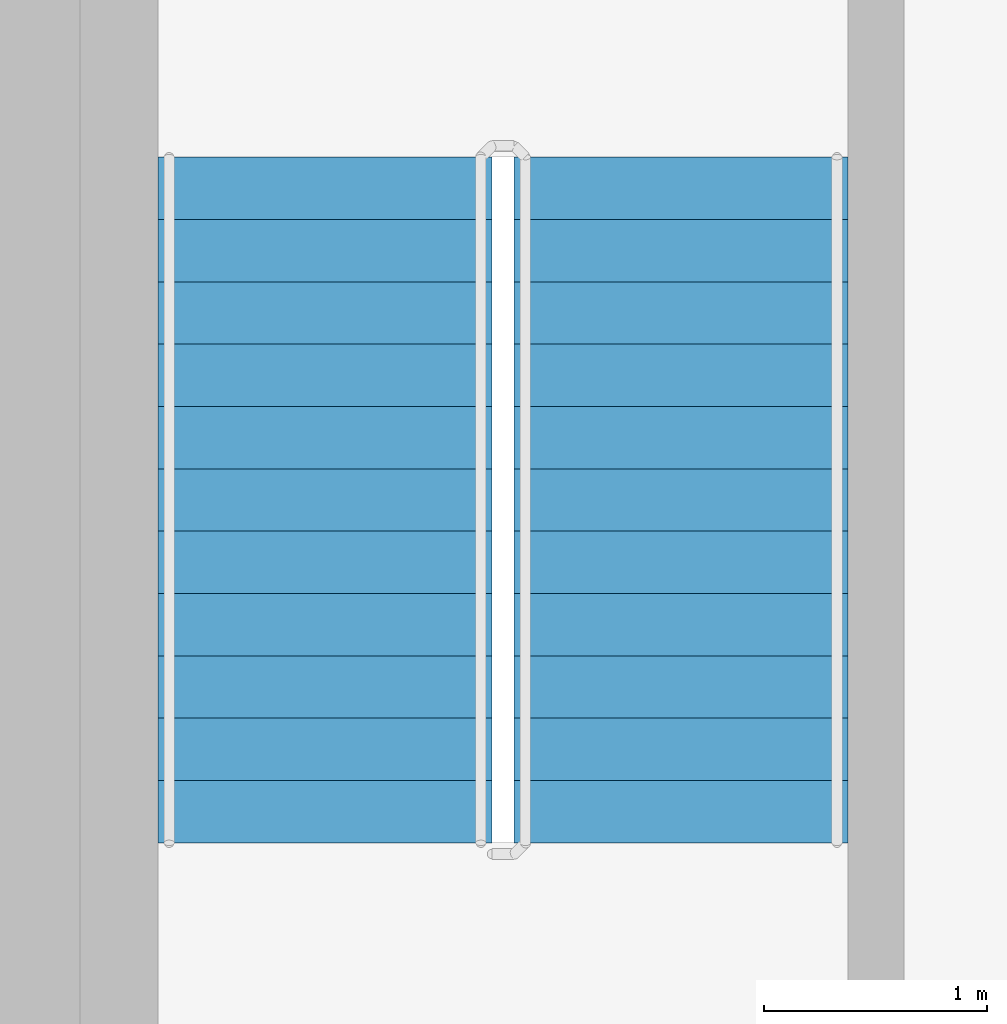
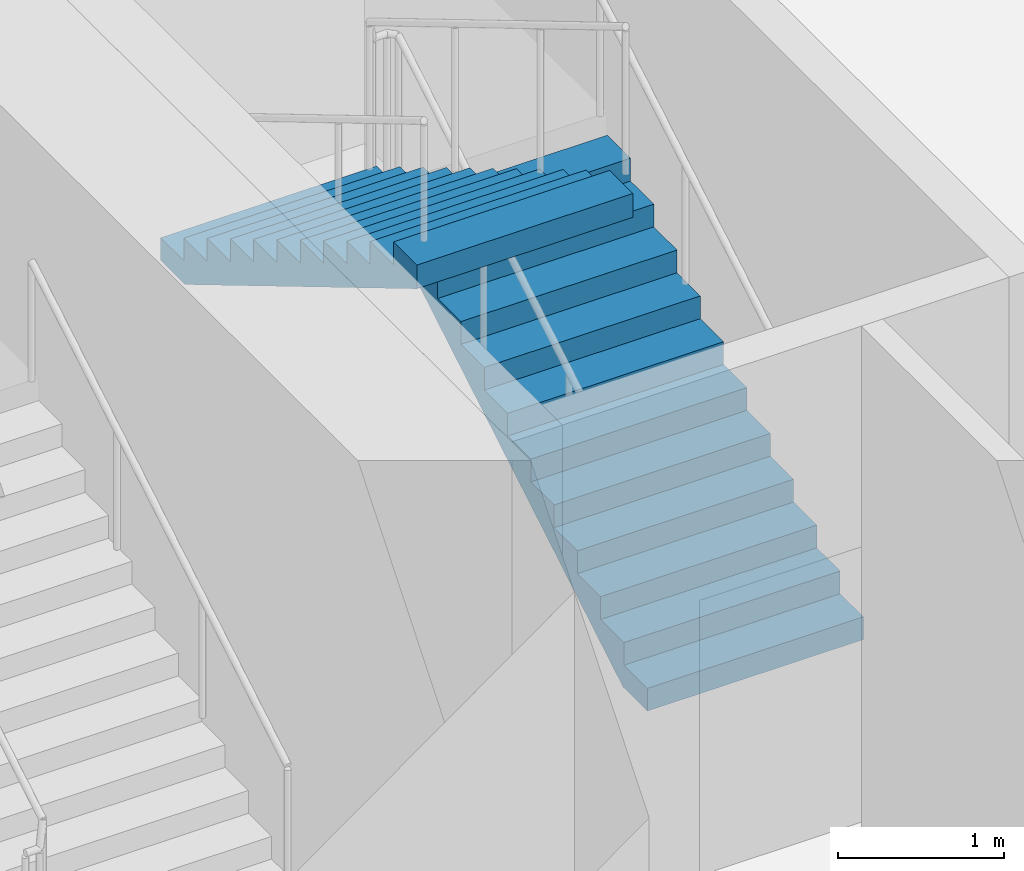
# One storey, part 17 of 25: 2 stair flights, 1 element without a shape of its own.
"""IFC4 building model written with IfcOpenShell, lengths in metres."""

from ifc_helpers import new_model, si_unit, direction, frame, origin, place, context, subcontext, project, spatial, triangles, source, transform, mapped, material, type_object, element, aggregate, save


model = new_model("IFC4")

# Units and contexts
model_context = context("Model", 3, precision=1e-05, world=origin(), true_north=direction((0.0, 1.0)))
body_context = subcontext(model_context, "Body", "Model", "MODEL_VIEW")
ifc_project = project(units=[si_unit("LENGTHUNIT", "METRE"), si_unit("AREAUNIT", "SQUARE_METRE"), si_unit("VOLUMEUNIT", "CUBIC_METRE"), si_unit("PLANEANGLEUNIT", "RADIAN"), si_unit("MASSUNIT", "GRAM", prefix="KILO")], contexts=[model_context])

# Site, building, storey
site_placement = place(None, origin())
site = spatial("IfcSite", under=ifc_project, at=site_placement, CompositionType="ELEMENT")
building_placement = place(site_placement, origin())
building = spatial("IfcBuilding", under=site, at=building_placement, Name="Kilnfold Tower and Market Hall", CompositionType="ELEMENT")
storey_placement = place(building_placement, frame((0.0, 0.0, 120.60009765625)))
storey = spatial("IfcBuildingStorey", under=building, at=storey_placement, Name="L28", CompositionType="ELEMENT", Elevation=120.60009765625)

# Stair, stair flights
ifc_material_1 = material(Name="Concrete C40/50", Category="concrete")
stair_type = type_object("IfcStairType", Name="CORE STAIR 1500", PredefinedType="HALF_TURN_STAIR", material=ifc_material_1)
stair_placement = place(storey_placement, origin())
stair = element("IfcStair", 1, at=stair_placement, inside=storey, type_object=stair_type, Name="L28 ST5", PredefinedType="HALF_TURN_STAIR")
ifc_material_2 = material(Name="Concrete C40/50", Category="concrete")
stair_flight_type = type_object("IfcStairFlightType", Name="CORE STAIR FLIGHT 1500", PredefinedType="STRAIGHT", material=ifc_material_2)
shared_shape = source(origin(), body_context, "Body", "Tessellation", [
    triangles([(0.0, 0.75, 0.0), (0.0, 0.65625, 0.0), (0.0, 0.5625, 0.0), (0.0, 0.46875, 0.0), (0.0, 0.375, 0.0), (0.0, 0.28125, 0.0), (0.0, 0.1875, 0.0), (0.0, 0.09375, 0.0), (0.0, 0.0, 0.0), (0.0, -0.09375, 0.0), (0.0, -0.1875, 0.0), (0.0, -0.28125, 0.0), (0.0, -0.375, 0.0), (0.0, -0.46875, 0.0), (0.0, -0.5625, 0.0), (0.0, -0.65625, 0.0), (0.0, -0.75, 0.0), (0.0, 0.75, 0.166748046875), (0.0, 0.65625, 0.166748046875), (0.0, 0.5625, 0.166748046875), (0.0, 0.46875, 0.166748046875), (0.0, 0.375, 0.166748046875), (0.0, 0.28125, 0.166748046875), (0.0, 0.1875, 0.166748046875), (0.0, 0.09375, 0.166748046875), (0.0, 0.0, 0.166748046875), (0.0, -0.09375, 0.166748046875), (0.0, -0.1875, 0.166748046875), (0.0, -0.28125, 0.166748046875), (0.0, -0.375, 0.166748046875), (0.0, -0.46875, 0.166748046875), (0.0, -0.5625, 0.166748046875), (0.0, -0.65625, 0.166748046875), (0.0, -0.75, 0.166748046875), (0.280029296875, 0.75, 0.166748046875), (0.280029296875, 0.65625, 0.166748046875), (0.280029296875, 0.5625, 0.166748046875), (0.280029296875, 0.46875, 0.166748046875), (0.280029296875, 0.375, 0.166748046875), (0.280029296875, 0.28125, 0.166748046875), (0.280029296875, 0.1875, 0.166748046875), (0.280029296875, 0.09375, 0.166748046875), (0.280029296875, 0.0, 0.166748046875), (0.280029296875, -0.09375, 0.166748046875), (0.280029296875, -0.1875, 0.166748046875), (0.280029296875, -0.28125, 0.166748046875), (0.280029296875, -0.375, 0.166748046875), (0.280029296875, -0.46875, 0.166748046875), (0.280029296875, -0.5625, 0.166748046875), (0.280029296875, -0.65625, 0.166748046875), (0.280029296875, -0.75, 0.166748046875), (0.280029296875, 0.75, 0.333251953125), (0.280029296875, 0.65625, 0.333251953125), (0.280029296875, 0.5625, 0.333251953125), (0.280029296875, 0.46875, 0.333251953125), (0.280029296875, 0.375, 0.333251953125), (0.280029296875, 0.28125, 0.333251953125), (0.280029296875, 0.1875, 0.333251953125), (0.280029296875, 0.09375, 0.333251953125), (0.280029296875, 0.0, 0.333251953125), (0.280029296875, -0.09375, 0.333251953125), (0.280029296875, -0.1875, 0.333251953125), (0.280029296875, -0.28125, 0.333251953125), (0.280029296875, -0.375, 0.333251953125), (0.280029296875, -0.46875, 0.333251953125), (0.280029296875, -0.5625, 0.333251953125), (0.280029296875, -0.65625, 0.333251953125), (0.280029296875, -0.75, 0.333251953125), (0.56005859375, 0.75, 0.333251953125), (0.56005859375, 0.65625, 0.333251953125), (0.56005859375, 0.5625, 0.333251953125), (0.56005859375, 0.46875, 0.333251953125), (0.56005859375, 0.375, 0.333251953125), (0.56005859375, 0.28125, 0.333251953125), (0.56005859375, 0.1875, 0.333251953125), (0.56005859375, 0.09375, 0.333251953125), (0.56005859375, 0.0, 0.333251953125), (0.56005859375, -0.09375, 0.333251953125), (0.56005859375, -0.1875, 0.333251953125), (0.56005859375, -0.28125, 0.333251953125), (0.56005859375, -0.375, 0.333251953125), (0.56005859375, -0.46875, 0.333251953125), (0.56005859375, -0.5625, 0.333251953125), (0.56005859375, -0.65625, 0.333251953125), (0.56005859375, -0.75, 0.333251953125), (0.56005859375, 0.75, 0.5), (0.56005859375, 0.65625, 0.5), (0.56005859375, 0.5625, 0.5), (0.56005859375, 0.46875, 0.5), (0.56005859375, 0.375, 0.5), (0.56005859375, 0.28125, 0.5), (0.56005859375, 0.1875, 0.5), (0.56005859375, 0.09375, 0.5), (0.56005859375, 0.0, 0.5), (0.56005859375, -0.09375, 0.5), (0.56005859375, -0.1875, 0.5), (0.56005859375, -0.28125, 0.5), (0.56005859375, -0.375, 0.5), (0.56005859375, -0.46875, 0.5), (0.56005859375, -0.5625, 0.5), (0.56005859375, -0.65625, 0.5), (0.56005859375, -0.75, 0.5), (0.840087890625, 0.75, 0.5), (0.840087890625, 0.65625, 0.5), (0.840087890625, 0.5625, 0.5), (0.840087890625, 0.46875, 0.5), (0.840087890625, 0.375, 0.5), (0.840087890625, 0.28125, 0.5), (0.840087890625, 0.1875, 0.5), (0.840087890625, 0.09375, 0.5), (0.840087890625, 0.0, 0.5), (0.840087890625, -0.09375, 0.5), (0.840087890625, -0.1875, 0.5), (0.840087890625, -0.28125, 0.5), (0.840087890625, -0.375, 0.5), (0.840087890625, -0.46875, 0.5), (0.840087890625, -0.5625, 0.5), (0.840087890625, -0.65625, 0.5), (0.840087890625, -0.75, 0.5), (0.840087890625, 0.75, 0.666748046875), (0.840087890625, 0.65625, 0.666748046875), (0.840087890625, 0.5625, 0.666748046875), (0.840087890625, 0.46875, 0.666748046875), (0.840087890625, 0.375, 0.666748046875), (0.840087890625, 0.28125, 0.666748046875), (0.840087890625, 0.1875, 0.666748046875), (0.840087890625, 0.09375, 0.666748046875), (0.840087890625, 0.0, 0.666748046875), (0.840087890625, -0.09375, 0.666748046875), (0.840087890625, -0.1875, 0.666748046875), (0.840087890625, -0.28125, 0.666748046875), (0.840087890625, -0.375, 0.666748046875), (0.840087890625, -0.46875, 0.666748046875), (0.840087890625, -0.5625, 0.666748046875), (0.840087890625, -0.65625, 0.666748046875), (0.840087890625, -0.75, 0.666748046875), (1.1201171875, 0.75, 0.666748046875), (1.1201171875, 0.65625, 0.666748046875), (1.1201171875, 0.5625, 0.666748046875), (1.1201171875, 0.46875, 0.666748046875), (1.1201171875, 0.375, 0.666748046875), (1.1201171875, 0.28125, 0.666748046875), (1.1201171875, 0.1875, 0.666748046875), (1.1201171875, 0.09375, 0.666748046875), (1.1201171875, 0.0, 0.666748046875), (1.1201171875, -0.09375, 0.666748046875), (1.1201171875, -0.1875, 0.666748046875), (1.1201171875, -0.28125, 0.666748046875), (1.1201171875, -0.375, 0.666748046875), (1.1201171875, -0.46875, 0.666748046875), (1.1201171875, -0.5625, 0.666748046875), (1.1201171875, -0.65625, 0.666748046875), (1.1201171875, -0.75, 0.666748046875), (1.1201171875, 0.75, 0.833251953125), (1.1201171875, 0.65625, 0.833251953125), (1.1201171875, 0.5625, 0.833251953125), (1.1201171875, 0.46875, 0.833251953125), (1.1201171875, 0.375, 0.833251953125), (1.1201171875, 0.28125, 0.833251953125), (1.1201171875, 0.1875, 0.833251953125), (1.1201171875, 0.09375, 0.833251953125), (1.1201171875, 0.0, 0.833251953125), (1.1201171875, -0.09375, 0.833251953125), (1.1201171875, -0.1875, 0.833251953125), (1.1201171875, -0.28125, 0.833251953125), (1.1201171875, -0.375, 0.833251953125), (1.1201171875, -0.46875, 0.833251953125), (1.1201171875, -0.5625, 0.833251953125), (1.1201171875, -0.65625, 0.833251953125), (1.1201171875, -0.75, 0.833251953125), (1.39990234375, 0.75, 0.833251953125), (1.39990234375, 0.65625, 0.833251953125), (1.39990234375, 0.5625, 0.833251953125), (1.39990234375, 0.46875, 0.833251953125), (1.39990234375, 0.375, 0.833251953125), (1.39990234375, 0.28125, 0.833251953125), (1.39990234375, 0.1875, 0.833251953125), (1.39990234375, 0.09375, 0.833251953125), (1.39990234375, 0.0, 0.833251953125), (1.39990234375, -0.09375, 0.833251953125), (1.39990234375, -0.1875, 0.833251953125), (1.39990234375, -0.28125, 0.833251953125), (1.39990234375, -0.375, 0.833251953125), (1.39990234375, -0.46875, 0.833251953125), (1.39990234375, -0.5625, 0.833251953125), (1.39990234375, -0.65625, 0.833251953125), (1.39990234375, -0.75, 0.833251953125), (1.39990234375, 0.75, 1.0), (1.39990234375, 0.65625, 1.0), (1.39990234375, 0.5625, 1.0), (1.39990234375, 0.46875, 1.0), (1.39990234375, 0.375, 1.0), (1.39990234375, 0.28125, 1.0), (1.39990234375, 0.1875, 1.0), (1.39990234375, 0.09375, 1.0), (1.39990234375, 0.0, 1.0), (1.39990234375, -0.09375, 1.0), (1.39990234375, -0.1875, 1.0), (1.39990234375, -0.28125, 1.0), (1.39990234375, -0.375, 1.0), (1.39990234375, -0.46875, 1.0), (1.39990234375, -0.5625, 1.0), (1.39990234375, -0.65625, 1.0), (1.39990234375, -0.75, 1.0), (1.679931640625, 0.75, 1.0), (1.679931640625, 0.65625, 1.0), (1.679931640625, 0.5625, 1.0), (1.679931640625, 0.46875, 1.0), (1.679931640625, 0.375, 1.0), (1.679931640625, 0.28125, 1.0), (1.679931640625, 0.1875, 1.0), (1.679931640625, 0.09375, 1.0), (1.679931640625, 0.0, 1.0), (1.679931640625, -0.09375, 1.0), (1.679931640625, -0.1875, 1.0), (1.679931640625, -0.28125, 1.0), (1.679931640625, -0.375, 1.0), (1.679931640625, -0.46875, 1.0), (1.679931640625, -0.5625, 1.0), (1.679931640625, -0.65625, 1.0), (1.679931640625, -0.75, 1.0), (1.679931640625, 0.75, 1.166748046875), (1.679931640625, 0.65625, 1.166748046875), (1.679931640625, 0.5625, 1.166748046875), (1.679931640625, 0.46875, 1.166748046875), (1.679931640625, 0.375, 1.166748046875), (1.679931640625, 0.28125, 1.166748046875), (1.679931640625, 0.1875, 1.166748046875), (1.679931640625, 0.09375, 1.166748046875), (1.679931640625, 0.0, 1.166748046875), (1.679931640625, -0.09375, 1.166748046875), (1.679931640625, -0.1875, 1.166748046875), (1.679931640625, -0.28125, 1.166748046875), (1.679931640625, -0.375, 1.166748046875), (1.679931640625, -0.46875, 1.166748046875), (1.679931640625, -0.5625, 1.166748046875), (1.679931640625, -0.65625, 1.166748046875), (1.679931640625, -0.75, 1.166748046875), (1.9599609375, 0.75, 1.166748046875), (1.9599609375, 0.65625, 1.166748046875), (1.9599609375, 0.5625, 1.166748046875), (1.9599609375, 0.46875, 1.166748046875), (1.9599609375, 0.375, 1.166748046875), (1.9599609375, 0.28125, 1.166748046875), (1.9599609375, 0.1875, 1.166748046875), (1.9599609375, 0.09375, 1.166748046875), (1.9599609375, 0.0, 1.166748046875), (1.9599609375, -0.09375, 1.166748046875), (1.9599609375, -0.1875, 1.166748046875), (1.9599609375, -0.28125, 1.166748046875), (1.9599609375, -0.375, 1.166748046875), (1.9599609375, -0.46875, 1.166748046875), (1.9599609375, -0.5625, 1.166748046875), (1.9599609375, -0.65625, 1.166748046875), (1.9599609375, -0.75, 1.166748046875), (1.9599609375, 0.75, 1.333251953125), (1.9599609375, 0.65625, 1.333251953125), (1.9599609375, 0.5625, 1.333251953125), (1.9599609375, 0.46875, 1.333251953125), (1.9599609375, 0.375, 1.333251953125), (1.9599609375, 0.28125, 1.333251953125), (1.9599609375, 0.1875, 1.333251953125), (1.9599609375, 0.09375, 1.333251953125), (1.9599609375, 0.0, 1.333251953125), (1.9599609375, -0.09375, 1.333251953125), (1.9599609375, -0.1875, 1.333251953125), (1.9599609375, -0.28125, 1.333251953125), (1.9599609375, -0.375, 1.333251953125), (1.9599609375, -0.46875, 1.333251953125), (1.9599609375, -0.5625, 1.333251953125), (1.9599609375, -0.65625, 1.333251953125), (1.9599609375, -0.75, 1.333251953125), (2.239990234375, 0.75, 1.333251953125), (2.239990234375, 0.65625, 1.333251953125), (2.239990234375, 0.5625, 1.333251953125), (2.239990234375, 0.46875, 1.333251953125), (2.239990234375, 0.375, 1.333251953125), (2.239990234375, 0.28125, 1.333251953125), (2.239990234375, 0.1875, 1.333251953125), (2.239990234375, 0.09375, 1.333251953125), (2.239990234375, 0.0, 1.333251953125), (2.239990234375, -0.09375, 1.333251953125), (2.239990234375, -0.1875, 1.333251953125), (2.239990234375, -0.28125, 1.333251953125), (2.239990234375, -0.375, 1.333251953125), (2.239990234375, -0.46875, 1.333251953125), (2.239990234375, -0.5625, 1.333251953125), (2.239990234375, -0.65625, 1.333251953125), (2.239990234375, -0.75, 1.333251953125), (2.239990234375, 0.75, 1.5), (2.239990234375, 0.65625, 1.5), (2.239990234375, 0.5625, 1.5), (2.239990234375, 0.46875, 1.5), (2.239990234375, 0.375, 1.5), (2.239990234375, 0.28125, 1.5), (2.239990234375, 0.1875, 1.5), (2.239990234375, 0.09375, 1.5), (2.239990234375, 0.0, 1.5), (2.239990234375, -0.09375, 1.5), (2.239990234375, -0.1875, 1.5), (2.239990234375, -0.28125, 1.5), (2.239990234375, -0.375, 1.5), (2.239990234375, -0.46875, 1.5), (2.239990234375, -0.5625, 1.5), (2.239990234375, -0.65625, 1.5), (2.239990234375, -0.75, 1.5), (2.52001953125, 0.75, 1.5), (2.52001953125, 0.65625, 1.5), (2.52001953125, 0.5625, 1.5), (2.52001953125, 0.46875, 1.5), (2.52001953125, 0.375, 1.5), (2.52001953125, 0.28125, 1.5), (2.52001953125, 0.1875, 1.5), (2.52001953125, 0.09375, 1.5), (2.52001953125, 0.0, 1.5), (2.52001953125, -0.09375, 1.5), (2.52001953125, -0.1875, 1.5), (2.52001953125, -0.28125, 1.5), (2.52001953125, -0.375, 1.5), (2.52001953125, -0.46875, 1.5), (2.52001953125, -0.5625, 1.5), (2.52001953125, -0.65625, 1.5), (2.52001953125, -0.75, 1.5), (2.52001953125, 0.75, 1.666748046875), (2.52001953125, 0.65625, 1.666748046875), (2.52001953125, 0.5625, 1.666748046875), (2.52001953125, 0.46875, 1.666748046875), (2.52001953125, 0.375, 1.666748046875), (2.52001953125, 0.28125, 1.666748046875), (2.52001953125, 0.1875, 1.666748046875), (2.52001953125, 0.09375, 1.666748046875), (2.52001953125, 0.0, 1.666748046875), (2.52001953125, -0.09375, 1.666748046875), (2.52001953125, -0.1875, 1.666748046875), (2.52001953125, -0.28125, 1.666748046875), (2.52001953125, -0.375, 1.666748046875), (2.52001953125, -0.46875, 1.666748046875), (2.52001953125, -0.5625, 1.666748046875), (2.52001953125, -0.65625, 1.666748046875), (2.52001953125, -0.75, 1.666748046875), (2.800048828125, 0.75, 1.666748046875), (2.800048828125, 0.65625, 1.666748046875), (2.800048828125, 0.5625, 1.666748046875), (2.800048828125, 0.46875, 1.666748046875), (2.800048828125, 0.375, 1.666748046875), (2.800048828125, 0.28125, 1.666748046875), (2.800048828125, 0.1875, 1.666748046875), (2.800048828125, 0.09375, 1.666748046875), (2.800048828125, 0.0, 1.666748046875), (2.800048828125, -0.09375, 1.666748046875), (2.800048828125, -0.1875, 1.666748046875), (2.800048828125, -0.28125, 1.666748046875), (2.800048828125, -0.375, 1.666748046875), (2.800048828125, -0.46875, 1.666748046875), (2.800048828125, -0.5625, 1.666748046875), (2.800048828125, -0.65625, 1.666748046875), (2.800048828125, -0.75, 1.666748046875), (2.800048828125, 0.75, 1.833251953125), (2.800048828125, 0.65625, 1.833251953125), (2.800048828125, 0.5625, 1.833251953125), (2.800048828125, 0.46875, 1.833251953125), (2.800048828125, 0.375, 1.833251953125), (2.800048828125, 0.28125, 1.833251953125), (2.800048828125, 0.1875, 1.833251953125), (2.800048828125, 0.09375, 1.833251953125), (2.800048828125, 0.0, 1.833251953125), (2.800048828125, -0.09375, 1.833251953125), (2.800048828125, -0.1875, 1.833251953125), (2.800048828125, -0.28125, 1.833251953125), (2.800048828125, -0.375, 1.833251953125), (2.800048828125, -0.46875, 1.833251953125), (2.800048828125, -0.5625, 1.833251953125), (2.800048828125, -0.65625, 1.833251953125), (2.800048828125, -0.75, 1.833251953125), (3.080078125, 0.75, 1.833251953125), (3.080078125, 0.65625, 1.833251953125), (3.080078125, 0.5625, 1.833251953125), (3.080078125, 0.46875, 1.833251953125), (3.080078125, 0.375, 1.833251953125), (3.080078125, 0.28125, 1.833251953125), (3.080078125, 0.1875, 1.833251953125), (3.080078125, 0.09375, 1.833251953125), (3.080078125, 0.0, 1.833251953125), (3.080078125, -0.09375, 1.833251953125), (3.080078125, -0.1875, 1.833251953125), (3.080078125, -0.28125, 1.833251953125), (3.080078125, -0.375, 1.833251953125), (3.080078125, -0.46875, 1.833251953125), (3.080078125, -0.5625, 1.833251953125), (3.080078125, -0.65625, 1.833251953125), (3.080078125, -0.75, 1.833251953125), (3.080078125, 0.75, 1.658935546875), (3.080078125, 0.65625, 1.658935546875), (3.080078125, 0.5625, 1.658935546875), (3.080078125, 0.46875, 1.658935546875), (3.080078125, 0.375, 1.658935546875), (3.080078125, 0.28125, 1.658935546875), (3.080078125, 0.1875, 1.658935546875), (3.080078125, 0.09375, 1.658935546875), (3.080078125, 0.0, 1.658935546875), (3.080078125, -0.09375, 1.658935546875), (3.080078125, -0.1875, 1.658935546875), (3.080078125, -0.28125, 1.658935546875), (3.080078125, -0.375, 1.658935546875), (3.080078125, -0.46875, 1.658935546875), (3.080078125, -0.5625, 1.658935546875), (3.080078125, -0.65625, 1.658935546875), (3.080078125, -0.75, 1.658935546875), (0.29296875, 0.75, 0.0), (0.29296875, 0.65625, 0.0), (0.29296875, 0.5625, 0.0), (0.29296875, 0.46875, 0.0), (0.29296875, 0.375, 0.0), (0.29296875, 0.28125, 0.0), (0.29296875, 0.1875, 0.0), (0.29296875, 0.09375, 0.0), (0.29296875, 0.0, 0.0), (0.29296875, -0.09375, 0.0), (0.29296875, -0.1875, 0.0), (0.29296875, -0.28125, 0.0), (0.29296875, -0.375, 0.0), (0.29296875, -0.46875, 0.0), (0.29296875, -0.5625, 0.0), (0.29296875, -0.65625, 0.0), (0.29296875, -0.75, 0.0)], [[1, 392, 409], [17, 425, 408], [392, 358, 375], [408, 391, 374], [392, 341, 358], [408, 374, 357], [392, 324, 341], [408, 357, 340], [392, 307, 324], [408, 340, 323], [307, 273, 290], [323, 306, 289], [392, 273, 307], [408, 323, 289], [273, 239, 256], [289, 272, 255], [392, 239, 273], [408, 289, 255], [239, 205, 222], [255, 238, 221], [392, 205, 239], [408, 255, 221], [205, 171, 188], [221, 204, 187], [392, 171, 205], [408, 221, 187], [171, 137, 154], [187, 170, 153], [392, 137, 171], [408, 187, 153], [137, 103, 120], [153, 136, 119], [392, 103, 137], [408, 153, 119], [103, 69, 86], [119, 102, 85], [392, 69, 103], [408, 119, 85], [1, 69, 392], [17, 408, 85], [69, 35, 52], [85, 68, 51], [1, 35, 69], [17, 85, 51], [35, 1, 18], [51, 34, 17], [1, 19, 18], [1, 2, 19], [2, 20, 19], [2, 3, 20], [3, 21, 20], [3, 4, 21], [4, 22, 21], [4, 5, 22], [5, 23, 22], [5, 6, 23], [6, 24, 23], [6, 7, 24], [7, 25, 24], [7, 8, 25], [8, 26, 25], [8, 9, 26], [9, 27, 26], [9, 10, 27], [10, 28, 27], [10, 11, 28], [11, 29, 28], [11, 12, 29], [12, 30, 29], [12, 13, 30], [13, 31, 30], [13, 14, 31], [14, 32, 31], [14, 15, 32], [15, 33, 32], [15, 16, 33], [16, 34, 33], [16, 17, 34], [18, 36, 35], [18, 19, 36], [19, 37, 36], [19, 20, 37], [20, 38, 37], [20, 21, 38], [21, 39, 38], [21, 22, 39], [22, 40, 39], [22, 23, 40], [23, 41, 40], [23, 24, 41], [24, 42, 41], [24, 25, 42], [25, 43, 42], [25, 26, 43], [26, 44, 43], [26, 27, 44], [27, 45, 44], [27, 28, 45], [28, 46, 45], [28, 29, 46], [29, 47, 46], [29, 30, 47], [30, 48, 47], [30, 31, 48], [31, 49, 48], [31, 32, 49], [32, 50, 49], [32, 33, 50], [33, 51, 50], [33, 34, 51], [35, 53, 52], [35, 36, 53], [36, 54, 53], [36, 37, 54], [37, 55, 54], [37, 38, 55], [38, 56, 55], [38, 39, 56], [39, 57, 56], [39, 40, 57], [40, 58, 57], [40, 41, 58], [41, 59, 58], [41, 42, 59], [42, 60, 59], [42, 43, 60], [43, 61, 60], [43, 44, 61], [44, 62, 61], [44, 45, 62], [45, 63, 62], [45, 46, 63], [46, 64, 63], [46, 47, 64], [47, 65, 64], [47, 48, 65], [48, 66, 65], [48, 49, 66], [49, 67, 66], [49, 50, 67], [50, 68, 67], [50, 51, 68], [52, 70, 69], [52, 53, 70], [53, 71, 70], [53, 54, 71], [54, 72, 71], [54, 55, 72], [55, 73, 72], [55, 56, 73], [56, 74, 73], [56, 57, 74], [57, 75, 74], [57, 58, 75], [58, 76, 75], [58, 59, 76], [59, 77, 76], [59, 60, 77], [60, 78, 77], [60, 61, 78], [61, 79, 78], [61, 62, 79], [62, 80, 79], [62, 63, 80], [63, 81, 80], [63, 64, 81], [64, 82, 81], [64, 65, 82], [65, 83, 82], [65, 66, 83], [66, 84, 83], [66, 67, 84], [67, 85, 84], [67, 68, 85], [69, 87, 86], [69, 70, 87], [70, 88, 87], [70, 71, 88], [71, 89, 88], [71, 72, 89], [72, 90, 89], [72, 73, 90], [73, 91, 90], [73, 74, 91], [74, 92, 91], [74, 75, 92], [75, 93, 92], [75, 76, 93], [76, 94, 93], [76, 77, 94], [77, 95, 94], [77, 78, 95], [78, 96, 95], [78, 79, 96], [79, 97, 96], [79, 80, 97], [80, 98, 97], [80, 81, 98], [81, 99, 98], [81, 82, 99], [82, 100, 99], [82, 83, 100], [83, 101, 100], [83, 84, 101], [84, 102, 101], [84, 85, 102], [86, 104, 103], [86, 87, 104], [87, 105, 104], [87, 88, 105], [88, 106, 105], [88, 89, 106], [89, 107, 106], [89, 90, 107], [90, 108, 107], [90, 91, 108], [91, 109, 108], [91, 92, 109], [92, 110, 109], [92, 93, 110], [93, 111, 110], [93, 94, 111], [94, 112, 111], [94, 95, 112], [95, 113, 112], [95, 96, 113], [96, 114, 113], [96, 97, 114], [97, 115, 114], [97, 98, 115], [98, 116, 115], [98, 99, 116], [99, 117, 116], [99, 100, 117], [100, 118, 117], [100, 101, 118], [101, 119, 118], [101, 102, 119], [103, 121, 120], [103, 104, 121], [104, 122, 121], [104, 105, 122], [105, 123, 122], [105, 106, 123], [106, 124, 123], [106, 107, 124], [107, 125, 124], [107, 108, 125], [108, 126, 125], [108, 109, 126], [109, 127, 126], [109, 110, 127], [110, 128, 127], [110, 111, 128], [111, 129, 128], [111, 112, 129], [112, 130, 129], [112, 113, 130], [113, 131, 130], [113, 114, 131], [114, 132, 131], [114, 115, 132], [115, 133, 132], [115, 116, 133], [116, 134, 133], [116, 117, 134], [117, 135, 134], [117, 118, 135], [118, 136, 135], [118, 119, 136], [120, 138, 137], [120, 121, 138], [121, 139, 138], [121, 122, 139], [122, 140, 139], [122, 123, 140], [123, 141, 140], [123, 124, 141], [124, 142, 141], [124, 125, 142], [125, 143, 142], [125, 126, 143], [126, 144, 143], [126, 127, 144], [127, 145, 144], [127, 128, 145], [128, 146, 145], [128, 129, 146], [129, 147, 146], [129, 130, 147], [130, 148, 147], [130, 131, 148], [131, 149, 148], [131, 132, 149], [132, 150, 149], [132, 133, 150], [133, 151, 150], [133, 134, 151], [134, 152, 151], [134, 135, 152], [135, 153, 152], [135, 136, 153], [137, 155, 154], [137, 138, 155], [138, 156, 155], [138, 139, 156], [139, 157, 156], [139, 140, 157], [140, 158, 157], [140, 141, 158], [141, 159, 158], [141, 142, 159], [142, 160, 159], [142, 143, 160], [143, 161, 160], [143, 144, 161], [144, 162, 161], [144, 145, 162], [145, 163, 162], [145, 146, 163], [146, 164, 163], [146, 147, 164], [147, 165, 164], [147, 148, 165], [148, 166, 165], [148, 149, 166], [149, 167, 166], [149, 150, 167], [150, 168, 167], [150, 151, 168], [151, 169, 168], [151, 152, 169], [152, 170, 169], [152, 153, 170], [154, 172, 171], [154, 155, 172], [155, 173, 172], [155, 156, 173], [156, 174, 173], [156, 157, 174], [157, 175, 174], [157, 158, 175], [158, 176, 175], [158, 159, 176], [159, 177, 176], [159, 160, 177], [160, 178, 177], [160, 161, 178], [161, 179, 178], [161, 162, 179], [162, 180, 179], [162, 163, 180], [163, 181, 180], [163, 164, 181], [164, 182, 181], [164, 165, 182], [165, 183, 182], [165, 166, 183], [166, 184, 183], [166, 167, 184], [167, 185, 184], [167, 168, 185], [168, 186, 185], [168, 169, 186], [169, 187, 186], [169, 170, 187], [171, 189, 188], [171, 172, 189], [172, 190, 189], [172, 173, 190], [173, 191, 190], [173, 174, 191], [174, 192, 191], [174, 175, 192], [175, 193, 192], [175, 176, 193], [176, 194, 193], [176, 177, 194], [177, 195, 194], [177, 178, 195], [178, 196, 195], [178, 179, 196], [179, 197, 196], [179, 180, 197], [180, 198, 197], [180, 181, 198], [181, 199, 198], [181, 182, 199], [182, 200, 199], [182, 183, 200], [183, 201, 200], [183, 184, 201], [184, 202, 201], [184, 185, 202], [185, 203, 202], [185, 186, 203], [186, 204, 203], [186, 187, 204], [188, 206, 205], [188, 189, 206], [189, 207, 206], [189, 190, 207], [190, 208, 207], [190, 191, 208], [191, 209, 208], [191, 192, 209], [192, 210, 209], [192, 193, 210], [193, 211, 210], [193, 194, 211], [194, 212, 211], [194, 195, 212], [195, 213, 212], [195, 196, 213], [196, 214, 213], [196, 197, 214], [197, 215, 214], [197, 198, 215], [198, 216, 215], [198, 199, 216], [199, 217, 216], [199, 200, 217], [200, 218, 217], [200, 201, 218], [201, 219, 218], [201, 202, 219], [202, 220, 219], [202, 203, 220], [203, 221, 220], [203, 204, 221], [205, 223, 222], [205, 206, 223], [206, 224, 223], [206, 207, 224], [207, 225, 224], [207, 208, 225], [208, 226, 225], [208, 209, 226], [209, 227, 226], [209, 210, 227], [210, 228, 227], [210, 211, 228], [211, 229, 228], [211, 212, 229], [212, 230, 229], [212, 213, 230], [213, 231, 230], [213, 214, 231], [214, 232, 231], [214, 215, 232], [215, 233, 232], [215, 216, 233], [216, 234, 233], [216, 217, 234], [217, 235, 234], [217, 218, 235], [218, 236, 235], [218, 219, 236], [219, 237, 236], [219, 220, 237], [220, 238, 237], [220, 221, 238], [222, 240, 239], [222, 223, 240], [223, 241, 240], [223, 224, 241], [224, 242, 241], [224, 225, 242], [225, 243, 242], [225, 226, 243], [226, 244, 243], [226, 227, 244], [227, 245, 244], [227, 228, 245], [228, 246, 245], [228, 229, 246], [229, 247, 246], [229, 230, 247], [230, 248, 247], [230, 231, 248], [231, 249, 248], [231, 232, 249], [232, 250, 249], [232, 233, 250], [233, 251, 250], [233, 234, 251], [234, 252, 251], [234, 235, 252], [235, 253, 252], [235, 236, 253], [236, 254, 253], [236, 237, 254], [237, 255, 254], [237, 238, 255], [239, 257, 256], [239, 240, 257], [240, 258, 257], [240, 241, 258], [241, 259, 258], [241, 242, 259], [242, 260, 259], [242, 243, 260], [243, 261, 260], [243, 244, 261], [244, 262, 261], [244, 245, 262], [245, 263, 262], [245, 246, 263], [246, 264, 263], [246, 247, 264], [247, 265, 264], [247, 248, 265], [248, 266, 265], [248, 249, 266], [249, 267, 266], [249, 250, 267], [250, 268, 267], [250, 251, 268], [251, 269, 268], [251, 252, 269], [252, 270, 269], [252, 253, 270], [253, 271, 270], [253, 254, 271], [254, 272, 271], [254, 255, 272], [256, 274, 273], [256, 257, 274], [257, 275, 274], [257, 258, 275], [258, 276, 275], [258, 259, 276], [259, 277, 276], [259, 260, 277], [260, 278, 277], [260, 261, 278], [261, 279, 278], [261, 262, 279], [262, 280, 279], [262, 263, 280], [263, 281, 280], [263, 264, 281], [264, 282, 281], [264, 265, 282], [265, 283, 282], [265, 266, 283], [266, 284, 283], [266, 267, 284], [267, 285, 284], [267, 268, 285], [268, 286, 285], [268, 269, 286], [269, 287, 286], [269, 270, 287], [270, 288, 287], [270, 271, 288], [271, 289, 288], [271, 272, 289], [273, 291, 290], [273, 274, 291], [274, 292, 291], [274, 275, 292], [275, 293, 292], [275, 276, 293], [276, 294, 293], [276, 277, 294], [277, 295, 294], [277, 278, 295], [278, 296, 295], [278, 279, 296], [279, 297, 296], [279, 280, 297], [280, 298, 297], [280, 281, 298], [281, 299, 298], [281, 282, 299], [282, 300, 299], [282, 283, 300], [283, 301, 300], [283, 284, 301], [284, 302, 301], [284, 285, 302], [285, 303, 302], [285, 286, 303], [286, 304, 303], [286, 287, 304], [287, 305, 304], [287, 288, 305], [288, 306, 305], [288, 289, 306], [290, 308, 307], [290, 291, 308], [291, 309, 308], [291, 292, 309], [292, 310, 309], [292, 293, 310], [293, 311, 310], [293, 294, 311], [294, 312, 311], [294, 295, 312], [295, 313, 312], [295, 296, 313], [296, 314, 313], [296, 297, 314], [297, 315, 314], [297, 298, 315], [298, 316, 315], [298, 299, 316], [299, 317, 316], [299, 300, 317], [300, 318, 317], [300, 301, 318], [301, 319, 318], [301, 302, 319], [302, 320, 319], [302, 303, 320], [303, 321, 320], [303, 304, 321], [304, 322, 321], [304, 305, 322], [305, 323, 322], [305, 306, 323], [307, 325, 324], [307, 308, 325], [308, 326, 325], [308, 309, 326], [309, 327, 326], [309, 310, 327], [310, 328, 327], [310, 311, 328], [311, 329, 328], [311, 312, 329], [312, 330, 329], [312, 313, 330], [313, 331, 330], [313, 314, 331], [314, 332, 331], [314, 315, 332], [315, 333, 332], [315, 316, 333], [316, 334, 333], [316, 317, 334], [317, 335, 334], [317, 318, 335], [318, 336, 335], [318, 319, 336], [319, 337, 336], [319, 320, 337], [320, 338, 337], [320, 321, 338], [321, 339, 338], [321, 322, 339], [322, 340, 339], [322, 323, 340], [324, 342, 341], [324, 325, 342], [325, 343, 342], [325, 326, 343], [326, 344, 343], [326, 327, 344], [327, 345, 344], [327, 328, 345], [328, 346, 345], [328, 329, 346], [329, 347, 346], [329, 330, 347], [330, 348, 347], [330, 331, 348], [331, 349, 348], [331, 332, 349], [332, 350, 349], [332, 333, 350], [333, 351, 350], [333, 334, 351], [334, 352, 351], [334, 335, 352], [335, 353, 352], [335, 336, 353], [336, 354, 353], [336, 337, 354], [337, 355, 354], [337, 338, 355], [338, 356, 355], [338, 339, 356], [339, 357, 356], [339, 340, 357], [341, 359, 358], [341, 342, 359], [342, 360, 359], [342, 343, 360], [343, 361, 360], [343, 344, 361], [344, 362, 361], [344, 345, 362], [345, 363, 362], [345, 346, 363], [346, 364, 363], [346, 347, 364], [347, 365, 364], [347, 348, 365], [348, 366, 365], [348, 349, 366], [349, 367, 366], [349, 350, 367], [350, 368, 367], [350, 351, 368], [351, 369, 368], [351, 352, 369], [352, 370, 369], [352, 353, 370], [353, 371, 370], [353, 354, 371], [354, 372, 371], [354, 355, 372], [355, 373, 372], [355, 356, 373], [356, 374, 373], [356, 357, 374], [358, 376, 375], [358, 359, 376], [359, 377, 376], [359, 360, 377], [360, 378, 377], [360, 361, 378], [361, 379, 378], [361, 362, 379], [362, 380, 379], [362, 363, 380], [363, 381, 380], [363, 364, 381], [364, 382, 381], [364, 365, 382], [365, 383, 382], [365, 366, 383], [366, 384, 383], [366, 367, 384], [367, 385, 384], [367, 368, 385], [368, 386, 385], [368, 369, 386], [369, 387, 386], [369, 370, 387], [370, 388, 387], [370, 371, 388], [371, 389, 388], [371, 372, 389], [372, 390, 389], [372, 373, 390], [373, 391, 390], [373, 374, 391], [375, 393, 392], [375, 376, 393], [376, 394, 393], [376, 377, 394], [377, 395, 394], [377, 378, 395], [378, 396, 395], [378, 379, 396], [379, 397, 396], [379, 380, 397], [380, 398, 397], [380, 381, 398], [381, 399, 398], [381, 382, 399], [382, 400, 399], [382, 383, 400], [383, 401, 400], [383, 384, 401], [384, 402, 401], [384, 385, 402], [385, 403, 402], [385, 386, 403], [386, 404, 403], [386, 387, 404], [387, 405, 404], [387, 388, 405], [388, 406, 405], [388, 389, 406], [389, 407, 406], [389, 390, 407], [390, 408, 407], [390, 391, 408], [392, 410, 409], [392, 393, 410], [393, 411, 410], [393, 394, 411], [394, 412, 411], [394, 395, 412], [395, 413, 412], [395, 396, 413], [396, 414, 413], [396, 397, 414], [397, 415, 414], [397, 398, 415], [398, 416, 415], [398, 399, 416], [399, 417, 416], [399, 400, 417], [400, 418, 417], [400, 401, 418], [401, 419, 418], [401, 402, 419], [402, 420, 419], [402, 403, 420], [403, 421, 420], [403, 404, 421], [404, 422, 421], [404, 405, 422], [405, 423, 422], [405, 406, 423], [406, 424, 423], [406, 407, 424], [407, 425, 424], [407, 408, 425], [409, 2, 1], [409, 410, 2], [410, 3, 2], [410, 411, 3], [411, 4, 3], [411, 412, 4], [412, 5, 4], [412, 413, 5], [413, 6, 5], [413, 414, 6], [414, 7, 6], [414, 415, 7], [415, 8, 7], [415, 416, 8], [416, 9, 8], [416, 417, 9], [417, 10, 9], [417, 418, 10], [418, 11, 10], [418, 419, 11], [419, 12, 11], [419, 420, 12], [420, 13, 12], [420, 421, 13], [421, 14, 13], [421, 422, 14], [422, 15, 14], [422, 423, 15], [423, 16, 15], [423, 424, 16], [424, 17, 16], [424, 425, 17]], closed=True),
])
stair_flight_1_placement = place(storey_placement, frame((20.699951171875, 11.5, 0.0), z_axis=(0.0, 0.0, 1.0), x_axis=(0.0, 1.0, 0.0)))
stair_flight_1 = element("IfcStairFlight", 2, at=stair_flight_1_placement, type_object=stair_flight_type, Name="ST5 flight 1", NumberOfRisers=12, NumberOfTreads=11, PredefinedType="STRAIGHT", RiserHeight=0.166666667, TreadLength=0.28, context=body_context, shape_type="MappedRepresentation", body=[
    mapped(shared_shape, transform((0.0, 0.0, 0.0))),
])
stair_flight_2_placement = place(storey_placement, frame((19.10009765625, 14.580078125, 2.0), z_axis=(0.0, 0.0, 1.0), x_axis=(0.0, -1.0, 0.0)))
stair_flight_2 = element("IfcStairFlight", 3, at=stair_flight_2_placement, type_object=stair_flight_type, Name="ST5 flight 2", NumberOfRisers=12, NumberOfTreads=11, PredefinedType="STRAIGHT", RiserHeight=0.166666667, TreadLength=0.28, context=body_context, shape_type="MappedRepresentation", body=[
    mapped(shared_shape, transform((0.0, 0.0, 0.0))),
])
aggregate(stair, [stair_flight_1, stair_flight_2])

save(model, "model.ifc")
